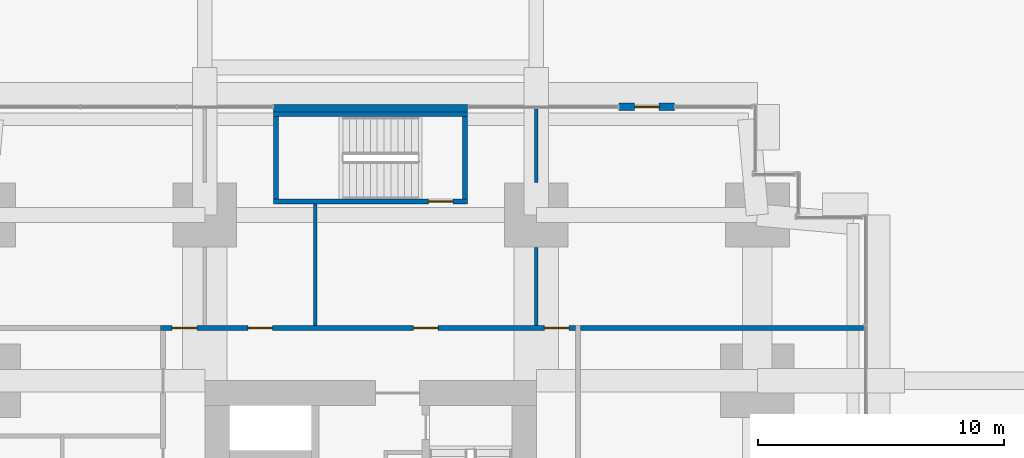
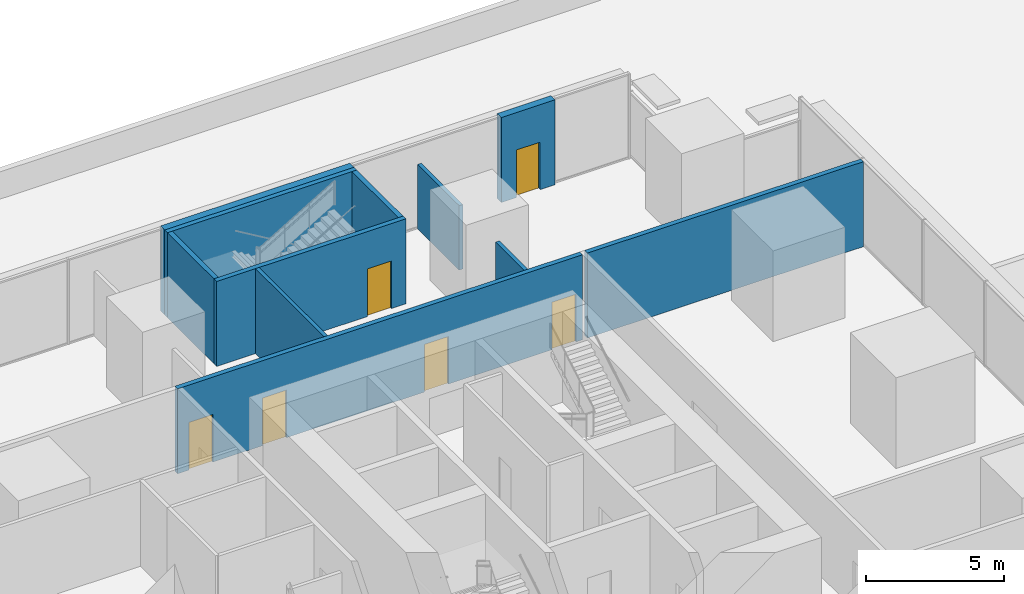
# One storey, part 27 of 34: 11 walls, 6 doors, 6 openings.
"""IFC4 building model written with IfcOpenShell, lengths in metres."""

import ifcopenshell
import ifcopenshell.guid

model = None  # the IFC model being written
_history = None  # IfcOwnerHistory: only IFC2X3 demands one
_inside = {}  # id of a spatial element -> (the spatial element, [elements in it])
_under = {}  # id of a project, library or spatial element -> (it, [spatial elements below it])
_declared = {}  # id of a project -> (the project, [libraries it declares])
_typed = {}  # id of a type object -> (the type object, [elements of that type])
_made_of = {}  # id of a material, layer set ... -> (it, [elements and type objects made of it])


def new_model(schema):
    """Start an empty IFC model of exactly this schema.

    Asked for "IFC4X3", IfcOpenShell would pick the latest addendum, in which some entities
    have other attributes; the version numbers below select the first issue.
    IFC2X3 requires an IfcOwnerHistory on every rooted entity: one is made here for all.
    """
    global model, _history
    if schema == "IFC4X3":
        model = ifcopenshell.file(schema_version=(4, 3, 0, 0))
    else:
        model = ifcopenshell.file(schema=schema)
    _inside.clear()
    _under.clear()
    _declared.clear()
    _typed.clear()
    _made_of.clear()
    _history = None
    if model.schema == "IFC2X3":
        org = make("IfcOrganization", Name="unknown")
        user = make(
            "IfcPersonAndOrganization",
            ThePerson=make("IfcPerson", FamilyName="unknown"),
            TheOrganization=org,
        )
        app = make(
            "IfcApplication",
            ApplicationDeveloper=org,
            Version="unknown",
            ApplicationFullName="unknown",
            ApplicationIdentifier="unknown",
        )
        _history = make(
            "IfcOwnerHistory",
            OwningUser=user,
            OwningApplication=app,
            ChangeAction="ADDED",
            CreationDate=0,
        )
    return model


def make(cls, **values):
    """One entity of the class cls with the attributes given. An attribute that is None is left unset."""
    return model.create_entity(
        cls, **{name: value for name, value in values.items() if value is not None}
    )


def rooted(cls, **values):
    """An entity with a GlobalId (a new one), such as an element, a storey or a relation."""
    return make(cls, GlobalId=ifcopenshell.guid.new(), OwnerHistory=_history, **values)


def si_unit(unit_type, name, prefix=None):
    """IfcSIUnit, for example si_unit("LENGTHUNIT", "METRE", prefix="MILLI")."""
    return make("IfcSIUnit", UnitType=unit_type, Prefix=prefix, Name=name)


def assignment(units):
    """IfcUnitAssignment: the units of a project."""
    return None if units is None else make("IfcUnitAssignment", Units=units)


def point(xyz):
    """IfcCartesianPoint."""
    return None if xyz is None else make("IfcCartesianPoint", Coordinates=xyz)


def direction(xyz):
    """IfcDirection."""
    return None if xyz is None else make("IfcDirection", DirectionRatios=xyz)


def frame(location, z_axis=None, x_axis=None):
    """IfcAxis2Placement3D, a coordinate frame: its origin and axes. An axis left out is left unset."""
    return make(
        "IfcAxis2Placement3D",
        Location=point(location),
        Axis=direction(z_axis),
        RefDirection=direction(x_axis),
    )


def frame_2d(location, x_axis=None):
    """IfcAxis2Placement2D, a coordinate frame in the plane: its origin and x axis."""
    return make(
        "IfcAxis2Placement2D", Location=point(location), RefDirection=direction(x_axis)
    )


def origin():
    """The frame at (0, 0, 0) with its axes left unset."""
    return frame((0.0, 0.0, 0.0))


def place(relative_to, where):
    """IfcLocalPlacement: puts the frame where relative to a parent placement (None: the world)."""
    return make(
        "IfcLocalPlacement", PlacementRelTo=relative_to, RelativePlacement=where
    )


def context(
    kind, dimensions, precision=None, world=None, true_north=None, identifier=None
):
    """IfcGeometricRepresentationContext, for example the 3D "Model" context."""
    return make(
        "IfcGeometricRepresentationContext",
        ContextIdentifier=identifier,
        ContextType=kind,
        CoordinateSpaceDimension=dimensions,
        Precision=precision,
        WorldCoordinateSystem=world,
        TrueNorth=true_north,
    )


def subcontext(parent, identifier, kind, view, scale=None):
    """IfcGeometricRepresentationSubContext, for example "Body" below "Model"."""
    return make(
        "IfcGeometricRepresentationSubContext",
        ContextIdentifier=identifier,
        ContextType=kind,
        ParentContext=parent,
        TargetScale=scale,
        TargetView=view,
    )


def project(units=None, contexts=None):
    """IfcProject with its units and contexts."""
    return rooted(
        "IfcProject",
        Name="project",
        RepresentationContexts=contexts,
        UnitsInContext=assignment(units),
    )


def spatial(cls, under=None, at=None, **own):
    """A site, building, storey or space (cls), placed at a placement, below another one or the project."""
    s = rooted(cls, ObjectPlacement=at, **own)
    if under is not None:
        _under.setdefault(under.id(), (under, []))[1].append(s)
    return s


def profile(cls, at=None, kind="AREA", **sizes):
    """A parametric profile (cls). Its sizes go by their IFC names, for example OverallWidth=200.0."""
    return make(cls, ProfileType=kind, Position=at, **sizes)


def rectangle(**sizes):
    """IfcRectangleProfileDef."""
    return profile("IfcRectangleProfileDef", **sizes)


def extrude(swept, where, along, depth):
    """IfcExtrudedAreaSolid: the profile swept, set in the frame where, extruded along a direction by depth."""
    return make(
        "IfcExtrudedAreaSolid",
        SweptArea=swept,
        Position=where,
        ExtrudedDirection=direction(along),
        Depth=depth,
    )


def shape(context_of_items, identifier, shape_type, items):
    """IfcShapeRepresentation: the items that make up one representation, for example the "Body"."""
    return make(
        "IfcShapeRepresentation",
        ContextOfItems=context_of_items,
        RepresentationIdentifier=identifier,
        RepresentationType=shape_type,
        Items=items,
    )


def material(Name=None, Category=None):
    """IfcMaterial."""
    return make("IfcMaterial", Name=Name, Category=Category)


def layer(
    of_material, thickness, ventilated=None, Name=None, Category=None, Priority=None
):
    """IfcMaterialLayer: one layer of a wall or slab, of a material (None: an air gap)."""
    return make(
        "IfcMaterialLayer",
        Material=of_material,
        LayerThickness=thickness,
        IsVentilated=ventilated,
        Name=Name,
        Category=Category,
        Priority=Priority,
    )


def layer_set(layers, Name=None):
    """IfcMaterialLayerSet."""
    return make("IfcMaterialLayerSet", MaterialLayers=layers, LayerSetName=Name)


def made_of(thing, what):
    """Note that an element or type object is made of a material, layer set ...; save() writes the relation."""
    if what is not None:
        _made_of.setdefault(what.id(), (what, []))[1].append(thing)
    return thing


def type_object(cls, material=None, **own):
    """A type object (cls), such as IfcWallType, which elements share."""
    return made_of(rooted(cls, **own), material)


def element(
    cls,
    number,
    at=None,
    inside=None,
    cuts=None,
    type_object=None,
    material=None,
    context=None,
    identifier="Body",
    shape_type=None,
    held_by="IfcProductDefinitionShape",
    body=None,
    shapes=None,
    **own,
):
    """One element of the class cls, such as IfcWall. Its Tag is "e" and its number.

    at: its placement. inside: the storey or other place that contains it. cuts: it is an
    opening in that element (IfcRelVoidsElement). A single representation is given by context,
    identifier, shape_type and body (its items); several are given by shapes. held_by: the class
    of the entity that holds the representations. save() writes the other relations.
    """
    e = rooted(cls, Tag="e%d" % number, ObjectPlacement=at, **own)
    if body is not None:
        shapes = [shape(context, identifier, shape_type, body)]
    if shapes is not None:
        e.Representation = make(held_by, Representations=shapes)
    if inside is not None:
        _inside.setdefault(inside.id(), (inside, []))[1].append(e)
    if cuts is not None:
        rooted(
            "IfcRelVoidsElement", RelatingBuildingElement=cuts, RelatedOpeningElement=e
        )
    if type_object is not None:
        _typed.setdefault(type_object.id(), (type_object, []))[1].append(e)
    return made_of(e, material)


def fill(opening, filler):
    """IfcRelFillsElement: the door or window that sits in an opening."""
    return rooted(
        "IfcRelFillsElement",
        RelatingOpeningElement=opening,
        RelatedBuildingElement=filler,
    )


def aggregate(whole, parts):
    """IfcRelAggregates: a whole, such as a stair, and the parts it consists of."""
    return rooted("IfcRelAggregates", RelatingObject=whole, RelatedObjects=parts)


def save(model, path):
    """Write the relations noted so far, then the file.

    IfcRelAggregates (storeys below a building ...), IfcRelContainedInSpatialStructure (elements
    in a storey), IfcRelDefinesByType, IfcRelAssociatesMaterial and IfcRelDeclares: one each for
    every whole, place, type object, material and project.
    """
    for whole, parts in _under.values():
        aggregate(whole, parts)
    for where, things in _inside.values():
        rooted(
            "IfcRelContainedInSpatialStructure",
            RelatedElements=things,
            RelatingStructure=where,
        )
    for kind, things in _typed.values():
        rooted("IfcRelDefinesByType", RelatedObjects=things, RelatingType=kind)
    for what, things in _made_of.values():
        rooted("IfcRelAssociatesMaterial", RelatedObjects=things, RelatingMaterial=what)
    for by, libraries in _declared.values():
        rooted("IfcRelDeclares", RelatingContext=by, RelatedDefinitions=libraries)
    model.write(path)


model = new_model("IFC4")

# Units and contexts
model_context = context("Model", 3, precision=1e-05, world=origin(), true_north=direction((0.0, 1.0)))
body_context = subcontext(model_context, "Body", "Model", "MODEL_VIEW")
ifc_project = project(units=[si_unit("LENGTHUNIT", "METRE"), si_unit("AREAUNIT", "SQUARE_METRE"), si_unit("VOLUMEUNIT", "CUBIC_METRE"), si_unit("PLANEANGLEUNIT", "RADIAN"), si_unit("MASSUNIT", "GRAM", prefix="KILO")], contexts=[model_context])

# Site, building, storey
site_placement = place(None, origin())
site = spatial("IfcSite", under=ifc_project, at=site_placement, CompositionType="ELEMENT")
building_placement = place(site_placement, origin())
building = spatial("IfcBuilding", under=site, at=building_placement, Name="Namib Vertical Campus", CompositionType="ELEMENT")
storey_placement = place(building_placement, frame((0.0, 0.0, 21.0)))
storey = spatial("IfcBuildingStorey", under=building, at=storey_placement, Name="L04", CompositionType="ELEMENT", Elevation=21.0)

# Wall, openings, doors
ifc_material_1 = material(Name="Concrete masonry", Category="masonry")
ifc_layer_1 = layer(ifc_material_1, 0.199951171875)
ifc_layer_set_1 = layer_set([ifc_layer_1], Name="Corridor wall 200")
wall_type_1 = type_object("IfcWallType", Name="Corridor wall 200", PredefinedType="SOLIDWALL", material=ifc_layer_set_1)
wall_1_placement = place(storey_placement, frame((28.60009765625, 31.39990234375, 0.0), z_axis=(0.0, 0.0, 1.0), x_axis=(-1.0, 0.0, 0.0)))
wall_1 = element("IfcWall", 1, at=wall_1_placement, inside=storey, type_object=wall_type_1, Name="Corridor wall A L04 CN", PredefinedType="SOLIDWALL", context=body_context, shape_type="SweptSolid", body=[
    extrude(rectangle(XDim=16.900146484375, YDim=0.199951171875, at=frame_2d((8.4501953125, 0.0))), origin(), (0.0, 0.0, 1.0), 3.75),
])
opening_1_placement = place(wall_1_placement, frame((15.425048828125, 0.0, 0.0)))
opening_1 = element("IfcOpeningElement", 2, at=opening_1_placement, cuts=wall_1, Name="Opening CD1", PredefinedType="OPENING", context=body_context, shape_type="SweptSolid", body=[
    extrude(rectangle(XDim=1.0, YDim=2.10009765625, at=frame_2d((0.5, 1.050048828125))), frame((0.0, 0.10986328125, 0.0), z_axis=(0.0, -1.0, 0.0), x_axis=(1.0, 0.0, 0.0)), (0.0, 0.0, 1.0), 0.219970703125),
])
opening_2_placement = place(wall_1_placement, frame((12.35009765625, 0.0, 0.0)))
opening_2 = element("IfcOpeningElement", 3, at=opening_2_placement, cuts=wall_1, Name="Opening CD1", PredefinedType="OPENING", context=body_context, shape_type="SweptSolid", body=[
    extrude(rectangle(XDim=1.0, YDim=2.10009765625, at=frame_2d((0.5, 1.050048828125))), frame((0.0, 0.10986328125, 0.0), z_axis=(0.0, -1.0, 0.0), x_axis=(1.0, 0.0, 0.0)), (0.0, 0.0, 1.0), 0.219970703125),
])
opening_3_placement = place(wall_1_placement, frame((5.60009765625, 0.0, 0.0)))
opening_3 = element("IfcOpeningElement", 4, at=opening_3_placement, cuts=wall_1, Name="Opening CD4", PredefinedType="OPENING", context=body_context, shape_type="SweptSolid", body=[
    extrude(rectangle(XDim=1.0, YDim=2.10009765625, at=frame_2d((0.5, 1.050048828125))), frame((0.0, 0.10986328125, 0.0), z_axis=(0.0, -1.0, 0.0), x_axis=(1.0, 0.0, 0.0)), (0.0, 0.0, 1.0), 0.219970703125),
])
opening_4_placement = place(wall_1_placement, frame((0.27490234375, 0.0, 0.0)))
opening_4 = element("IfcOpeningElement", 5, at=opening_4_placement, cuts=wall_1, Name="Opening CD1", PredefinedType="OPENING", context=body_context, shape_type="SweptSolid", body=[
    extrude(rectangle(XDim=1.0, YDim=2.10009765625, at=frame_2d((0.5, 1.050048828125))), frame((0.0, 0.10986328125, 0.0), z_axis=(0.0, -1.0, 0.0), x_axis=(1.0, 0.0, 0.0)), (0.0, 0.0, 1.0), 0.219970703125),
])
ifc_material_2 = material(Name="Timber fire door leaf", Category="wood")
door_type_1 = type_object("IfcDoorType", Name="Corridor door 1000x2100 20 min", OperationType="SINGLE_SWING_LEFT", PredefinedType="DOOR", material=ifc_material_2)
door_1_placement = place(opening_1_placement, frame((1.0, 0.0, 0.0), z_axis=(0.0, 0.0, 1.0), x_axis=(-1.0, 0.0, 0.0)))
door_1 = element("IfcDoor", 6, at=door_1_placement, inside=storey, type_object=door_type_1, Name="Door CD1 A04-06", OperationType="SINGLE_SWING_RIGHT", OverallHeight=2.10009765625, OverallWidth=1.0, PredefinedType="DOOR", context=body_context, shape_type="SweptSolid", body=[
    extrude(rectangle(XDim=1.0, YDim=2.10009765625, at=frame_2d((0.5, 1.050048828125))), frame((0.0, 0.02490234375, 0.0), z_axis=(0.0, -1.0, 0.0), x_axis=(1.0, 0.0, 0.0)), (0.0, 0.0, 1.0), 0.050048828125),
])
fill(opening_1, door_1)
door_2_placement = place(opening_2_placement, frame((1.0, 0.0, 0.0), z_axis=(0.0, 0.0, 1.0), x_axis=(-1.0, 0.0, 0.0)))
door_2 = element("IfcDoor", 7, at=door_2_placement, inside=storey, type_object=door_type_1, Name="Door CD1 A04-07", OperationType="SINGLE_SWING_RIGHT", OverallHeight=2.10009765625, OverallWidth=1.0, PredefinedType="DOOR", context=body_context, shape_type="SweptSolid", body=[
    extrude(rectangle(XDim=1.0, YDim=2.10009765625, at=frame_2d((0.5, 1.050048828125))), frame((0.0, 0.02490234375, 0.0), z_axis=(0.0, -1.0, 0.0), x_axis=(1.0, 0.0, 0.0)), (0.0, 0.0, 1.0), 0.050048828125),
])
fill(opening_2, door_2)
door_3_placement = place(opening_4_placement, frame((1.0, 0.0, 0.0), z_axis=(0.0, 0.0, 1.0), x_axis=(-1.0, 0.0, 0.0)))
door_3 = element("IfcDoor", 8, at=door_3_placement, inside=storey, type_object=door_type_1, Name="Door CD1 A04-09", OperationType="SINGLE_SWING_LEFT", OverallHeight=2.10009765625, OverallWidth=1.0, PredefinedType="DOOR", context=body_context, shape_type="SweptSolid", body=[
    extrude(rectangle(XDim=1.0, YDim=2.10009765625, at=frame_2d((0.5, 1.050048828125))), frame((0.0, 0.02490234375, 0.0), z_axis=(0.0, -1.0, 0.0), x_axis=(1.0, 0.0, 0.0)), (0.0, 0.0, 1.0), 0.050048828125),
])
fill(opening_4, door_3)
ifc_material_3 = material(Name="Timber fire door leaf", Category="wood")
door_type_2 = type_object("IfcDoorType", Name="Corridor door 1000x2100 20 min double-acting", OperationType="DOUBLE_SWING_LEFT", PredefinedType="DOOR", material=ifc_material_3)
door_4_placement = place(opening_3_placement, origin())
door_4 = element("IfcDoor", 9, at=door_4_placement, inside=storey, type_object=door_type_2, Name="Door CD4 A04-08", OperationType="DOUBLE_SWING_LEFT", OverallHeight=2.10009765625, OverallWidth=1.0, PredefinedType="DOOR", context=body_context, shape_type="SweptSolid", body=[
    extrude(rectangle(XDim=1.0, YDim=2.10009765625, at=frame_2d((0.5, 1.050048828125))), frame((0.0, 0.02490234375, 0.0), z_axis=(0.0, -1.0, 0.0), x_axis=(1.0, 0.0, 0.0)), (0.0, 0.0, 1.0), 0.050048828125),
])
fill(opening_3, door_4)

# Walls
wall_2_placement = place(storey_placement, frame((28.800048828125, 31.39990234375, 0.0), z_axis=(0.0, 0.0, 1.0), x_axis=(1.0, 0.0, 0.0)))
element("IfcWall", 10, at=wall_2_placement, inside=storey, type_object=wall_type_1, Name="Partition A L04 BNE", PredefinedType="SOLIDWALL", context=body_context, shape_type="SweptSolid", body=[
    extrude(rectangle(XDim=11.52001953125, YDim=0.199951171875, at=frame_2d((5.760009765625, 0.0))), origin(), (0.0, 0.0, 1.0), 3.75),
])
ifc_material_4 = material(Name="Concrete C40/50", Category="concrete")
ifc_layer_2 = layer(ifc_material_4, 0.300048828125)
ifc_layer_set_2 = layer_set([ifc_layer_2], Name="Concrete C40/50")
wall_type_2 = type_object("IfcWallType", Name="External wall 300 board-marked concrete", PredefinedType="STANDARD", material=ifc_layer_set_2)
wall_3_placement = place(storey_placement, frame((24.199951171875, 40.35009765625, 0.0), z_axis=(0.0, 0.0, 1.0), x_axis=(-1.0, 0.0, 0.0)))
element("IfcWall", 11, at=wall_3_placement, inside=storey, type_object=wall_type_2, Name="External wall L04 F11 exit stair panel", PredefinedType="STANDARD", context=body_context, shape_type="SweptSolid", body=[
    extrude(rectangle(XDim=7.89990234375, YDim=0.300048828125, at=frame_2d((3.949951171875, 0.0))), origin(), (0.0, 0.0, 1.0), 3.75),
])

# Wall, opening, door
wall_4_placement = place(storey_placement, frame((32.625, 40.39990234375, 0.0), z_axis=(0.0, 0.0, 1.0), x_axis=(-1.0, 0.0, 0.0)))
wall_4 = element("IfcWall", 12, at=wall_4_placement, inside=storey, type_object=wall_type_2, Name="External wall L04 F11 maintenance door panel", PredefinedType="STANDARD", context=body_context, shape_type="SweptSolid", body=[
    extrude(rectangle(XDim=2.25, YDim=0.300048828125, at=frame_2d((1.125, 0.0))), origin(), (0.0, 0.0, 1.0), 3.75),
])
opening_5_placement = place(wall_4_placement, frame((0.625, 0.0, 0.0)))
opening_5 = element("IfcOpeningElement", 13, at=opening_5_placement, cuts=wall_4, Name="Opening MD1", PredefinedType="OPENING", context=body_context, shape_type="SweptSolid", body=[
    extrude(rectangle(XDim=1.0, YDim=2.10009765625, at=frame_2d((0.5, 1.050048828125))), frame((0.0, 0.159912109375, 0.0), z_axis=(0.0, -1.0, 0.0), x_axis=(1.0, 0.0, 0.0)), (0.0, 0.0, 1.0), 0.320068359375),
])
ifc_material_5 = material(Name="Galvanised steel door", Category="steel")
door_type_3 = type_object("IfcDoorType", Name="Maintenance access door 1000x2100", OperationType="SINGLE_SWING_RIGHT", PredefinedType="DOOR", material=ifc_material_5)
door_5_placement = place(opening_5_placement, frame((1.0, 0.0, 0.0), z_axis=(0.0, 0.0, 1.0), x_axis=(-1.0, 0.0, 0.0)))
door_5 = element("IfcDoor", 14, at=door_5_placement, inside=storey, type_object=door_type_3, Name="Maintenance access door MD1 A L04 to the podium roof", OperationType="SINGLE_SWING_RIGHT", OverallHeight=2.10009765625, OverallWidth=1.0, PredefinedType="DOOR", context=body_context, shape_type="SweptSolid", body=[
    extrude(rectangle(XDim=1.0, YDim=2.10009765625, at=frame_2d((0.5, 1.050048828125))), frame((0.0, 0.02490234375, 0.0), z_axis=(0.0, -1.0, 0.0), x_axis=(1.0, 0.0, 0.0)), (0.0, 0.0, 1.0), 0.050048828125),
])
fill(opening_5, door_5)

# Walls
ifc_material_6 = material(Name="Gypsum board on steel studs", Category="steel")
ifc_layer_3 = layer(ifc_material_6, 0.14990234375)
ifc_layer_set_3 = layer_set([ifc_layer_3], Name="Gypsum board on steel studs")
wall_type_3 = type_object("IfcWallType", Name="Partition 150", PredefinedType="PARTITIONING", material=ifc_layer_set_3)
wall_5_placement = place(storey_placement, frame((18.0, 31.5, 0.0), z_axis=(0.0, 0.0, 1.0), x_axis=(0.0, 1.0, 0.0)))
element("IfcWall", 15, at=wall_5_placement, inside=storey, type_object=wall_type_3, Name="Partition A L04 PN2", PredefinedType="PARTITIONING", context=body_context, shape_type="SweptSolid", body=[
    extrude(rectangle(XDim=4.949951171875, YDim=0.14990234375, at=frame_2d((2.47509765625, 0.0))), origin(), (0.0, 0.0, 1.0), 3.75),
])
wall_6_placement = place(storey_placement, frame((27.0, 31.5, 0.0), z_axis=(0.0, 0.0, 1.0), x_axis=(0.0, 1.0, 0.0)))
element("IfcWall", 16, at=wall_6_placement, inside=storey, type_object=wall_type_3, Name="Partition A L04 PN3", PredefinedType="PARTITIONING", context=body_context, shape_type="SweptSolid", body=[
    extrude(rectangle(XDim=3.179931640625, YDim=0.14990234375, at=frame_2d((1.58984375, 0.0))), origin(), (0.0, 0.0, 1.0), 2.85009765625),
])
wall_7_placement = place(storey_placement, frame((27.0, 37.320068359375, 0.0), z_axis=(0.0, 0.0, 1.0), x_axis=(0.0, 1.0, 0.0)))
element("IfcWall", 17, at=wall_7_placement, inside=storey, type_object=wall_type_3, Name="Partition A L04 PN3", PredefinedType="PARTITIONING", context=body_context, shape_type="SweptSolid", body=[
    extrude(rectangle(XDim=3.0, YDim=0.14990234375, at=frame_2d((1.5, 0.0))), origin(), (0.0, 0.0, 1.0), 2.85009765625),
])

# Wall, opening, door
ifc_material_7 = material(Name="Concrete C40/50", Category="concrete")
ifc_layer_4 = layer(ifc_material_7, 0.199951171875)
ifc_layer_set_4 = layer_set([ifc_layer_4], Name="Concrete C40/50")
wall_type_4 = type_object("IfcWallType", Name="Stair enclosure wall RC 200", PredefinedType="SOLIDWALL", material=ifc_layer_set_4)
wall_8_placement = place(storey_placement, frame((16.300048828125, 36.550048828125, 0.0), z_axis=(0.0, 0.0, 1.0), x_axis=(1.0, 0.0, 0.0)))
wall_8 = element("IfcWall", 18, at=wall_8_placement, inside=storey, type_object=wall_type_4, Name="Stair enclosure wall A-S3 L04 S", PredefinedType="SOLIDWALL", context=body_context, shape_type="SweptSolid", body=[
    extrude(rectangle(XDim=7.89990234375, YDim=0.199951171875, at=frame_2d((3.949951171875, 0.0))), origin(), (0.0, 0.0, 1.0), 3.75),
])
opening_6_placement = place(wall_8_placement, frame((6.300048828125, 0.0, 0.0)))
opening_6 = element("IfcOpeningElement", 19, at=opening_6_placement, cuts=wall_8, Name="Opening FD1", PredefinedType="OPENING", context=body_context, shape_type="SweptSolid", body=[
    extrude(rectangle(XDim=1.0, YDim=2.10009765625, at=frame_2d((0.5, 1.050048828125))), frame((0.0, 0.10986328125, 0.0), z_axis=(0.0, -1.0, 0.0), x_axis=(1.0, 0.0, 0.0)), (0.0, 0.0, 1.0), 0.219970703125),
])
ifc_material_8 = material(Name="Steel fire door", Category="steel")
door_type_4 = type_object("IfcDoorType", Name="Fire door 1000x2100", OperationType="SINGLE_SWING_RIGHT", PredefinedType="DOOR", material=ifc_material_8)
door_6_placement = place(opening_6_placement, origin())
door_6 = element("IfcDoor", 20, at=door_6_placement, inside=storey, type_object=door_type_4, Name="Stair door FD1 A L04 S3", OperationType="SINGLE_SWING_RIGHT", OverallHeight=2.10009765625, OverallWidth=1.0, PredefinedType="DOOR", context=body_context, shape_type="SweptSolid", body=[
    extrude(rectangle(XDim=1.0, YDim=2.10009765625, at=frame_2d((0.5, 1.050048828125))), frame((0.0, 0.02490234375, 0.0), z_axis=(0.0, -1.0, 0.0), x_axis=(1.0, 0.0, 0.0)), (0.0, 0.0, 1.0), 0.050048828125),
])
fill(opening_6, door_6)

# Walls
wall_9_placement = place(storey_placement, frame((16.300048828125, 40.10009765625, 0.0), z_axis=(0.0, 0.0, 1.0), x_axis=(1.0, 0.0, 0.0)))
element("IfcWall", 21, at=wall_9_placement, inside=storey, type_object=wall_type_4, Name="Stair enclosure wall A-S3 L04 N", PredefinedType="SOLIDWALL", context=body_context, shape_type="SweptSolid", body=[
    extrude(rectangle(XDim=7.89990234375, YDim=0.199951171875, at=frame_2d((3.949951171875, 0.0))), origin(), (0.0, 0.0, 1.0), 3.75),
])
for number, where, z_axis, x_axis, name in (
    (22, (16.39990234375, 36.64990234375, 0.0), (0.0, 0.0, 1.0), (0.0, 1.0, 0.0), "Stair enclosure wall A-S3 L04 W"),
    (23, (24.10009765625, 36.64990234375, 0.0), (0.0, 0.0, 1.0), (0.0, 1.0, 0.0), "Stair enclosure wall A-S3 L04 E"),
):
    element("IfcWall", number, at=place(storey_placement, frame(where, z_axis=z_axis, x_axis=x_axis)), inside=storey, type_object=wall_type_4, Name=name, PredefinedType="SOLIDWALL", context=body_context, shape_type="SweptSolid", body=[
        extrude(rectangle(XDim=3.35009765625, YDim=0.199951171875, at=frame_2d((1.675048828125, 0.0))), origin(), (0.0, 0.0, 1.0), 3.75),
    ])

save(model, "model.ifc")
